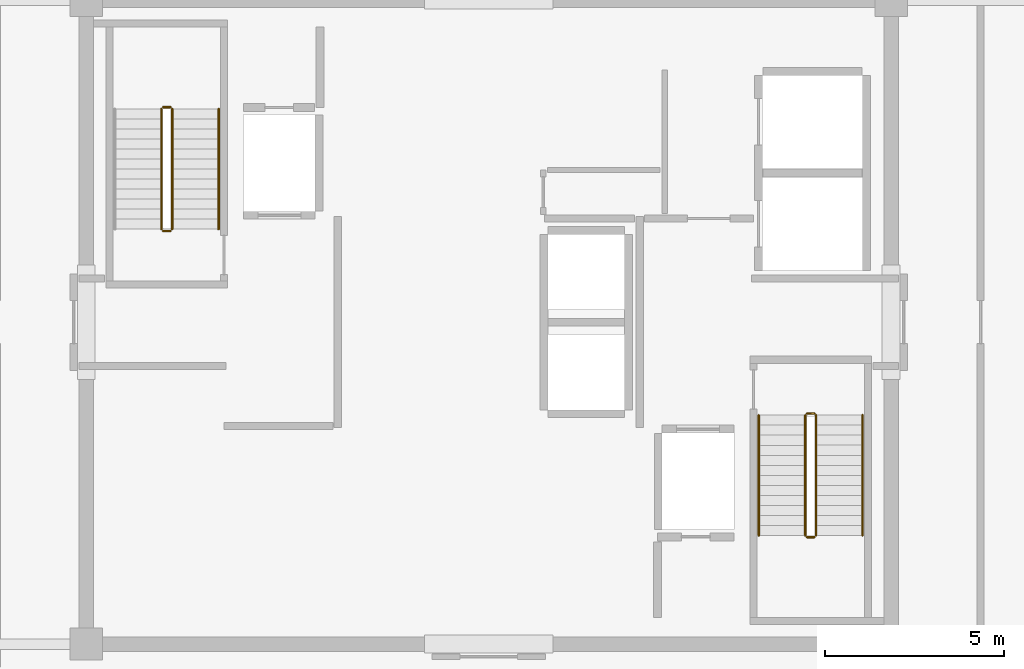
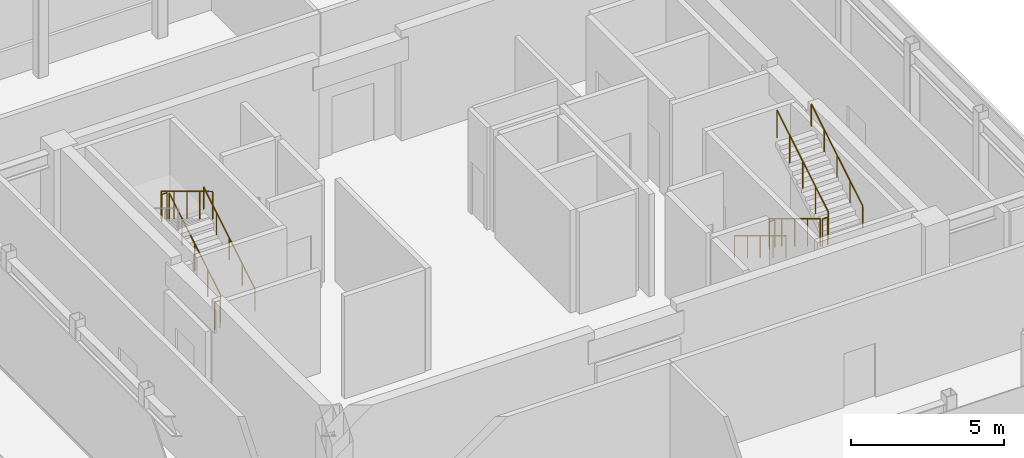
# One storey, part 13 of 14: 11 railings.
"""IFC4 building model written with IfcOpenShell, lengths in metres."""

from ifc_helpers import new_model, si_unit, direction, frame, origin, origin_2d, place, context, subcontext, project, spatial, circle, extrude, material, type_object, element, save


model = new_model("IFC4")

# Units and contexts
model_context = context("Model", 3, precision=1e-05, world=origin(), true_north=direction((0.0, 1.0)))
body_context = subcontext(model_context, "Body", "Model", "MODEL_VIEW")
ifc_project = project(units=[si_unit("LENGTHUNIT", "METRE"), si_unit("AREAUNIT", "SQUARE_METRE"), si_unit("VOLUMEUNIT", "CUBIC_METRE"), si_unit("PLANEANGLEUNIT", "RADIAN"), si_unit("MASSUNIT", "GRAM", prefix="KILO")], contexts=[model_context])

# Site, building, storey
site_placement = place(None, origin())
site = spatial("IfcSite", under=ifc_project, at=site_placement, CompositionType="ELEMENT")
building_placement = place(site_placement, origin())
building = spatial("IfcBuilding", under=site, at=building_placement, Name="Nefas-Gora Pilgrimage Tower", CompositionType="ELEMENT")
storey_placement = place(building_placement, frame((0.0, 0.0, 358.60009765625)))
storey = spatial("IfcBuildingStorey", under=building, at=storey_placement, Name="L90", CompositionType="ELEMENT", Elevation=358.60009765625)

# Railings
ifc_material_1 = material(Name="Painted galvanised steel", Category="steel")
railing_type_1 = type_object("IfcRailingType", Name="RLG-STR-GUARD-1100", PredefinedType="GUARDRAIL", material=ifc_material_1)
railing_1_placement = place(storey_placement, frame((-8.85009765625, 2.60009765625, 0.169189453125)))
element("IfcRailing", 1, at=railing_1_placement, inside=storey, type_object=railing_type_1, Name="L90 ST-01 stair guard 1", PredefinedType="GUARDRAIL", context=body_context, shape_type="SweptSolid", body=[
    extrude(circle(Radius=0.02392578125, at=origin_2d()), frame((0.0, 0.0, 1.09619140625), z_axis=(0.0, 0.855820338506, 0.51727318527), x_axis=(-1.0, 0.0, 0.0)), (0.0, 0.0, 1.0), 3.92578125),
    extrude(circle(Radius=0.02099609375, at=origin_2d()), origin(), (0.0, 0.0, 1.0), 1.072021484375),
    extrude(circle(Radius=0.02099609375, at=origin_2d()), frame((0.0, 0.83984375, 0.5078125)), (0.0, 0.0, 1.0), 1.072021484375),
    extrude(circle(Radius=0.02099609375, at=origin_2d()), frame((0.0, 1.679931640625, 1.015380859375)), (0.0, 0.0, 1.0), 1.072021484375),
    extrude(circle(Radius=0.02099609375, at=origin_2d()), frame((0.0, 2.52001953125, 1.52294921875)), (0.0, 0.0, 1.0), 1.072021484375),
    extrude(circle(Radius=0.02099609375, at=origin_2d()), frame((0.0, 3.35986328125, 2.03076171875)), (0.0, 0.0, 1.0), 1.072021484375),
])
railing_2_placement = place(storey_placement, frame((-8.89990234375, 6.010009765625, 2.199951171875)))
element("IfcRailing", 2, at=railing_2_placement, inside=storey, type_object=railing_type_1, Name="L90 ST-01 stair guard 2", PredefinedType="GUARDRAIL", context=body_context, shape_type="SweptSolid", body=[
    extrude(circle(Radius=0.02392578125, at=origin_2d()), frame((0.0, 0.0, 1.09619140625), z_axis=(-1.0, 0.0, 0.0), x_axis=(0.0, -1.0, 0.0)), (0.0, 0.0, 1.0), 0.2001953125),
    extrude(circle(Radius=0.02099609375, at=origin_2d()), origin(), (0.0, 0.0, 1.0), 1.072021484375),
    extrude(circle(Radius=0.02099609375, at=origin_2d()), frame((-0.2001953125, 0.0, 0.0)), (0.0, 0.0, 1.0), 1.072021484375),
])
railing_3_placement = place(storey_placement, frame((-9.14990234375, 5.9599609375, 2.369140625)))
element("IfcRailing", 3, at=railing_3_placement, inside=storey, type_object=railing_type_1, Name="L90 ST-01 stair guard 3", PredefinedType="GUARDRAIL", context=body_context, shape_type="SweptSolid", body=[
    extrude(circle(Radius=0.02392578125, at=origin_2d()), frame((0.0, 0.0, 1.09619140625), z_axis=(0.0, -0.855820338506, 0.51727318527), x_axis=(1.0, 0.0, 0.0)), (0.0, 0.0, 1.0), 3.92578125),
    extrude(circle(Radius=0.02099609375, at=origin_2d()), origin(), (0.0, 0.0, 1.0), 1.072021484375),
    extrude(circle(Radius=0.02099609375, at=origin_2d()), frame((0.0, -0.83984375, 0.5078125)), (0.0, 0.0, 1.0), 1.072021484375),
    extrude(circle(Radius=0.02099609375, at=origin_2d()), frame((0.0, -1.679931640625, 1.015380859375)), (0.0, 0.0, 1.0), 1.072021484375),
    extrude(circle(Radius=0.02099609375, at=origin_2d()), frame((0.0, -2.52001953125, 1.52294921875)), (0.0, 0.0, 1.0), 1.072021484375),
    extrude(circle(Radius=0.02099609375, at=origin_2d()), frame((0.0, -3.35986328125, 2.03076171875)), (0.0, 0.0, 1.0), 1.072021484375),
])
railing_4_placement = place(storey_placement, frame((-8.89990234375, 2.550048828125, 0.0)))
element("IfcRailing", 4, at=railing_4_placement, inside=storey, type_object=railing_type_1, Name="L90 ST-01 stair guard 4", PredefinedType="GUARDRAIL", context=body_context, shape_type="SweptSolid", body=[
    extrude(circle(Radius=0.02392578125, at=origin_2d()), frame((0.0, 0.0, 1.09619140625), z_axis=(-1.0, 0.0, 0.0), x_axis=(0.0, -1.0, 0.0)), (0.0, 0.0, 1.0), 0.2001953125),
    extrude(circle(Radius=0.02099609375, at=origin_2d()), origin(), (0.0, 0.0, 1.0), 1.072021484375),
    extrude(circle(Radius=0.02099609375, at=origin_2d()), frame((-0.2001953125, 0.0, 0.0)), (0.0, 0.0, 1.0), 1.072021484375),
])
railing_5_placement = place(storey_placement, frame((8.85009765625, -2.60009765625, 0.169189453125)))
element("IfcRailing", 5, at=railing_5_placement, inside=storey, type_object=railing_type_1, Name="L90 ST-02 stair guard 1", PredefinedType="GUARDRAIL", context=body_context, shape_type="SweptSolid", body=[
    extrude(circle(Radius=0.02392578125, at=origin_2d()), frame((0.0, 0.0, 1.09619140625), z_axis=(0.0, -0.855820338506, 0.51727318527), x_axis=(1.0, 0.0, 0.0)), (0.0, 0.0, 1.0), 3.92578125),
    extrude(circle(Radius=0.02099609375, at=origin_2d()), origin(), (0.0, 0.0, 1.0), 1.072021484375),
    extrude(circle(Radius=0.02099609375, at=origin_2d()), frame((0.0, -0.83984375, 0.5078125)), (0.0, 0.0, 1.0), 1.072021484375),
    extrude(circle(Radius=0.02099609375, at=origin_2d()), frame((0.0, -1.679931640625, 1.015380859375)), (0.0, 0.0, 1.0), 1.072021484375),
    extrude(circle(Radius=0.02099609375, at=origin_2d()), frame((0.0, -2.52001953125, 1.52294921875)), (0.0, 0.0, 1.0), 1.072021484375),
    extrude(circle(Radius=0.02099609375, at=origin_2d()), frame((0.0, -3.35986328125, 2.03076171875)), (0.0, 0.0, 1.0), 1.072021484375),
])
railing_6_placement = place(storey_placement, frame((8.89990234375, -6.010009765625, 2.199951171875)))
element("IfcRailing", 6, at=railing_6_placement, inside=storey, type_object=railing_type_1, Name="L90 ST-02 stair guard 2", PredefinedType="GUARDRAIL", context=body_context, shape_type="SweptSolid", body=[
    extrude(circle(Radius=0.02392578125, at=origin_2d()), frame((0.0, 0.0, 1.09619140625), z_axis=(1.0, 0.0, 0.0), x_axis=(0.0, 1.0, 0.0)), (0.0, 0.0, 1.0), 0.2001953125),
    extrude(circle(Radius=0.02099609375, at=origin_2d()), origin(), (0.0, 0.0, 1.0), 1.072021484375),
    extrude(circle(Radius=0.02099609375, at=origin_2d()), frame((0.2001953125, 0.0, 0.0)), (0.0, 0.0, 1.0), 1.072021484375),
])
railing_7_placement = place(storey_placement, frame((9.14990234375, -5.9599609375, 2.369140625)))
element("IfcRailing", 7, at=railing_7_placement, inside=storey, type_object=railing_type_1, Name="L90 ST-02 stair guard 3", PredefinedType="GUARDRAIL", context=body_context, shape_type="SweptSolid", body=[
    extrude(circle(Radius=0.02392578125, at=origin_2d()), frame((0.0, 0.0, 1.09619140625), z_axis=(0.0, 0.855820338506, 0.51727318527), x_axis=(-1.0, 0.0, 0.0)), (0.0, 0.0, 1.0), 3.92578125),
    extrude(circle(Radius=0.02099609375, at=origin_2d()), origin(), (0.0, 0.0, 1.0), 1.072021484375),
    extrude(circle(Radius=0.02099609375, at=origin_2d()), frame((0.0, 0.83984375, 0.5078125)), (0.0, 0.0, 1.0), 1.072021484375),
    extrude(circle(Radius=0.02099609375, at=origin_2d()), frame((0.0, 1.679931640625, 1.015380859375)), (0.0, 0.0, 1.0), 1.072021484375),
    extrude(circle(Radius=0.02099609375, at=origin_2d()), frame((0.0, 2.52001953125, 1.52294921875)), (0.0, 0.0, 1.0), 1.072021484375),
    extrude(circle(Radius=0.02099609375, at=origin_2d()), frame((0.0, 3.35986328125, 2.03076171875)), (0.0, 0.0, 1.0), 1.072021484375),
])
railing_8_placement = place(storey_placement, frame((8.89990234375, -2.550048828125, 0.0)))
element("IfcRailing", 8, at=railing_8_placement, inside=storey, type_object=railing_type_1, Name="L90 ST-02 stair guard 4", PredefinedType="GUARDRAIL", context=body_context, shape_type="SweptSolid", body=[
    extrude(circle(Radius=0.02392578125, at=origin_2d()), frame((0.0, 0.0, 1.09619140625), z_axis=(1.0, 0.0, 0.0), x_axis=(0.0, 1.0, 0.0)), (0.0, 0.0, 1.0), 0.2001953125),
    extrude(circle(Radius=0.02099609375, at=origin_2d()), origin(), (0.0, 0.0, 1.0), 1.072021484375),
    extrude(circle(Radius=0.02099609375, at=origin_2d()), frame((0.2001953125, 0.0, 0.0)), (0.0, 0.0, 1.0), 1.072021484375),
])
ifc_material_2 = material(Name="Brushed stainless steel", Category="steel")
railing_type_2 = type_object("IfcRailingType", Name="RLG-STR-HAND-900", PredefinedType="HANDRAIL", material=ifc_material_2)
railing_9_placement = place(storey_placement, frame((-7.550048828125, 2.60009765625, 0.169189453125)))
element("IfcRailing", 9, at=railing_9_placement, inside=storey, type_object=railing_type_2, Name="L90 ST-01 stair handrail 1", PredefinedType="HANDRAIL", context=body_context, shape_type="SweptSolid", body=[
    extrude(circle(Radius=0.02392578125, at=origin_2d()), frame((0.0, 0.0, 0.8759765625), z_axis=(0.0, 0.855820338506, 0.51727318527), x_axis=(-1.0, 0.0, 0.0)), (0.0, 0.0, 1.0), 3.92578125),
    extrude(circle(Radius=0.02099609375, at=origin_2d()), origin(), (0.0, 0.0, 1.0), 0.851806640625),
    extrude(circle(Radius=0.02099609375, at=origin_2d()), frame((0.0, 0.83984375, 0.5078125)), (0.0, 0.0, 1.0), 0.851806640625),
    extrude(circle(Radius=0.02099609375, at=origin_2d()), frame((0.0, 1.679931640625, 1.015380859375)), (0.0, 0.0, 1.0), 0.851806640625),
    extrude(circle(Radius=0.02099609375, at=origin_2d()), frame((0.0, 2.52001953125, 1.52294921875)), (0.0, 0.0, 1.0), 0.851806640625),
    extrude(circle(Radius=0.02099609375, at=origin_2d()), frame((0.0, 3.35986328125, 2.03076171875)), (0.0, 0.0, 1.0), 0.851806640625),
])
railing_10_placement = place(storey_placement, frame((7.550048828125, -2.60009765625, 0.169189453125)))
element("IfcRailing", 10, at=railing_10_placement, inside=storey, type_object=railing_type_2, Name="L90 ST-02 stair handrail 1", PredefinedType="HANDRAIL", context=body_context, shape_type="SweptSolid", body=[
    extrude(circle(Radius=0.02392578125, at=origin_2d()), frame((0.0, 0.0, 0.8759765625), z_axis=(0.0, -0.855820338506, 0.51727318527), x_axis=(1.0, 0.0, 0.0)), (0.0, 0.0, 1.0), 3.92578125),
    extrude(circle(Radius=0.02099609375, at=origin_2d()), origin(), (0.0, 0.0, 1.0), 0.851806640625),
    extrude(circle(Radius=0.02099609375, at=origin_2d()), frame((0.0, -0.83984375, 0.5078125)), (0.0, 0.0, 1.0), 0.851806640625),
    extrude(circle(Radius=0.02099609375, at=origin_2d()), frame((0.0, -1.679931640625, 1.015380859375)), (0.0, 0.0, 1.0), 0.851806640625),
    extrude(circle(Radius=0.02099609375, at=origin_2d()), frame((0.0, -2.52001953125, 1.52294921875)), (0.0, 0.0, 1.0), 0.851806640625),
    extrude(circle(Radius=0.02099609375, at=origin_2d()), frame((0.0, -3.35986328125, 2.03076171875)), (0.0, 0.0, 1.0), 0.851806640625),
])
railing_11_placement = place(storey_placement, frame((10.449951171875, -5.9599609375, 2.369140625)))
element("IfcRailing", 11, at=railing_11_placement, inside=storey, type_object=railing_type_2, Name="L90 ST-02 stair handrail 2", PredefinedType="HANDRAIL", context=body_context, shape_type="SweptSolid", body=[
    extrude(circle(Radius=0.02392578125, at=origin_2d()), frame((0.0, 0.0, 0.8759765625), z_axis=(0.0, 0.855820338506, 0.51727318527), x_axis=(-1.0, 0.0, 0.0)), (0.0, 0.0, 1.0), 3.92578125),
    extrude(circle(Radius=0.02099609375, at=origin_2d()), origin(), (0.0, 0.0, 1.0), 0.851806640625),
    extrude(circle(Radius=0.02099609375, at=origin_2d()), frame((0.0, 0.83984375, 0.5078125)), (0.0, 0.0, 1.0), 0.851806640625),
    extrude(circle(Radius=0.02099609375, at=origin_2d()), frame((0.0, 1.679931640625, 1.015380859375)), (0.0, 0.0, 1.0), 0.851806640625),
    extrude(circle(Radius=0.02099609375, at=origin_2d()), frame((0.0, 2.52001953125, 1.52294921875)), (0.0, 0.0, 1.0), 0.851806640625),
    extrude(circle(Radius=0.02099609375, at=origin_2d()), frame((0.0, 3.35986328125, 2.03076171875)), (0.0, 0.0, 1.0), 0.851806640625),
])

save(model, "model.ifc")
